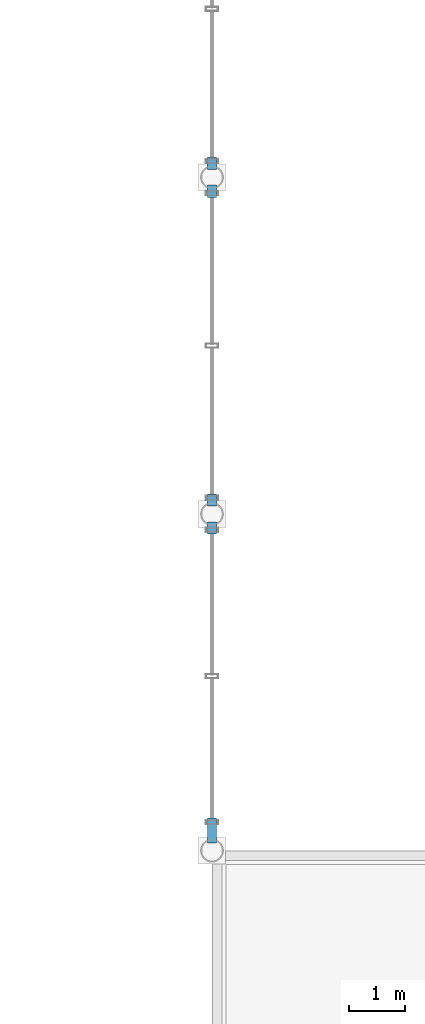
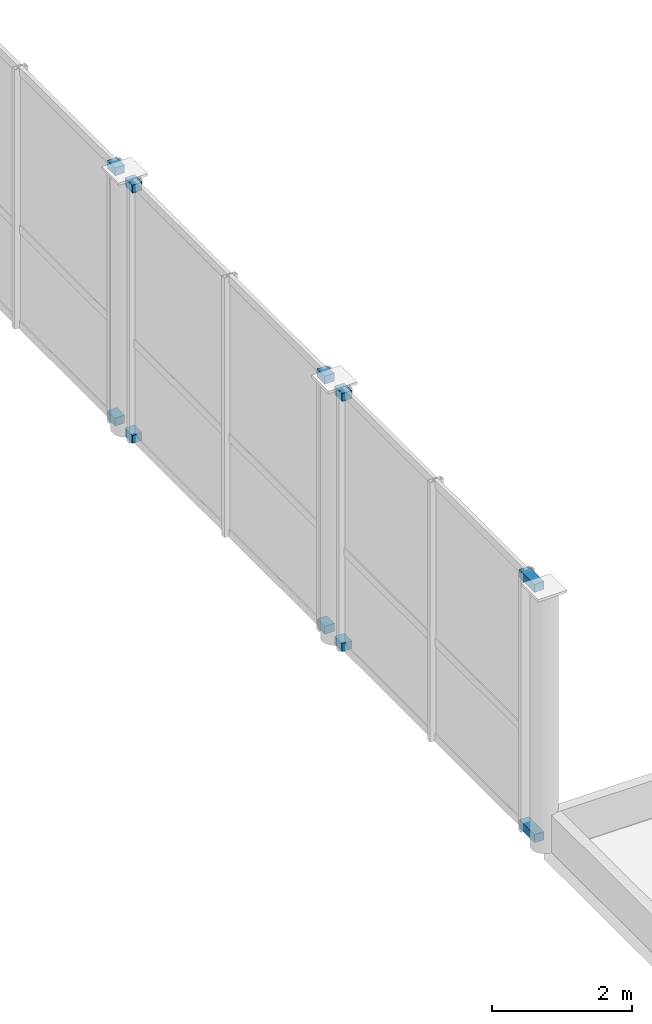
# One storey, part 116 of 133: 10 discrete accessories.
"""IFC4 building model written with IfcOpenShell, lengths in metres."""

from ifc_helpers import new_model, si_unit, direction, frame, origin, origin_2d, place, context, subcontext, project, spatial, rectangle, extrude, material, type_object, element, save


model = new_model("IFC4")

# Units and contexts
model_context = context("Model", 3, precision=1e-05, world=origin(), true_north=direction((0.0, 1.0)))
body_context = subcontext(model_context, "Body", "Model", "MODEL_VIEW")
ifc_project = project(units=[si_unit("LENGTHUNIT", "METRE"), si_unit("AREAUNIT", "SQUARE_METRE"), si_unit("VOLUMEUNIT", "CUBIC_METRE"), si_unit("PLANEANGLEUNIT", "RADIAN"), si_unit("MASSUNIT", "GRAM", prefix="KILO"), si_unit("THERMODYNAMICTEMPERATUREUNIT", "KELVIN"), si_unit("POWERUNIT", "WATT")], contexts=[model_context])

# Site, building, storey
site_placement = place(None, origin())
site = spatial("IfcSite", under=ifc_project, at=site_placement, CompositionType="ELEMENT")
building_placement = place(site_placement, origin())
building = spatial("IfcBuilding", under=site, at=building_placement, Name="Phaisarnlok Congress Hotel", CompositionType="ELEMENT")
storey_placement = place(building_placement, frame((0.0, 0.0, 6.0)))
storey = spatial("IfcBuildingStorey", under=building, at=storey_placement, Name="L01", CompositionType="ELEMENT", Elevation=6.0)

# Discrete accessories
ifc_material = material(Name="Steel S355", Category="steel")
discrete_accessory_type = type_object("IfcDiscreteAccessoryType", Name="ACC-BRK-STL", PredefinedType="BRACKET", material=ifc_material)
for number, where, z_axis, x_axis, name in (
    (1, (120.0, 48.360107421875, -0.009765625), (0.0, 0.0, 1.0), (1.0, 0.0, 0.0), "Curtain wall steel jamb spider bracket BK-01"),
    (2, (120.0, 48.360107421875, 4.35986328125), (0.0, 0.0, 1.0), (1.0, 0.0, 0.0), "Curtain wall steel jamb spider bracket BK-01"),
):
    element("IfcDiscreteAccessory", number, at=place(storey_placement, frame(where, z_axis=z_axis, x_axis=x_axis)), inside=storey, type_object=discrete_accessory_type, Name=name, PredefinedType="BRACKET", context=body_context, shape_type="SweptSolid", body=[
        extrude(rectangle(XDim=0.159912109375, YDim=0.43994140625, at=origin_2d()), origin(), (0.0, 0.0, 1.0), 0.139892578125),
    ])
for number, where, z_axis, x_axis, name in (
    (3, (120.0, 53.75, -0.009765625), (0.0, 0.0, 1.0), (1.0, 0.0, 0.0), "Curtain wall steel jamb spider bracket BK-01"),
    (4, (120.0, 53.75, 4.35986328125), (0.0, 0.0, 1.0), (1.0, 0.0, 0.0), "Curtain wall steel jamb spider bracket BK-01"),
    (5, (120.0, 54.25, -0.009765625), (0.0, 0.0, 1.0), (1.0, 0.0, 0.0), "Curtain wall steel jamb spider bracket BK-01"),
    (6, (120.0, 54.25, 4.35986328125), (0.0, 0.0, 1.0), (1.0, 0.0, 0.0), "Curtain wall steel jamb spider bracket BK-01"),
    (7, (120.0, 59.75, -0.009765625), (0.0, 0.0, 1.0), (1.0, 0.0, 0.0), "Curtain wall steel jamb spider bracket BK-01"),
    (8, (120.0, 59.75, 4.35986328125), (0.0, 0.0, 1.0), (1.0, 0.0, 0.0), "Curtain wall steel jamb spider bracket BK-01"),
    (9, (120.0, 60.25, -0.009765625), (0.0, 0.0, 1.0), (1.0, 0.0, 0.0), "Curtain wall steel jamb spider bracket BK-01"),
    (10, (120.0, 60.25, 4.35986328125), (0.0, 0.0, 1.0), (1.0, 0.0, 0.0), "Curtain wall steel jamb spider bracket BK-01"),
):
    element("IfcDiscreteAccessory", number, at=place(storey_placement, frame(where, z_axis=z_axis, x_axis=x_axis)), inside=storey, type_object=discrete_accessory_type, Name=name, PredefinedType="BRACKET", context=body_context, shape_type="SweptSolid", body=[
        extrude(rectangle(XDim=0.159912109375, YDim=0.219970703125, at=origin_2d()), origin(), (0.0, 0.0, 1.0), 0.139892578125),
    ])

save(model, "model.ifc")
